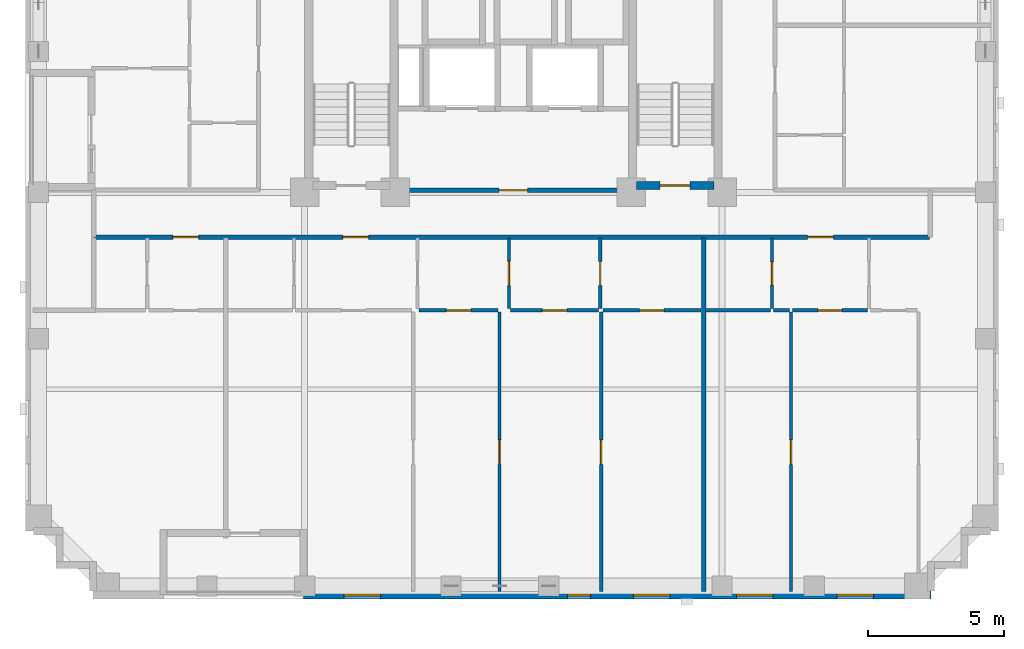
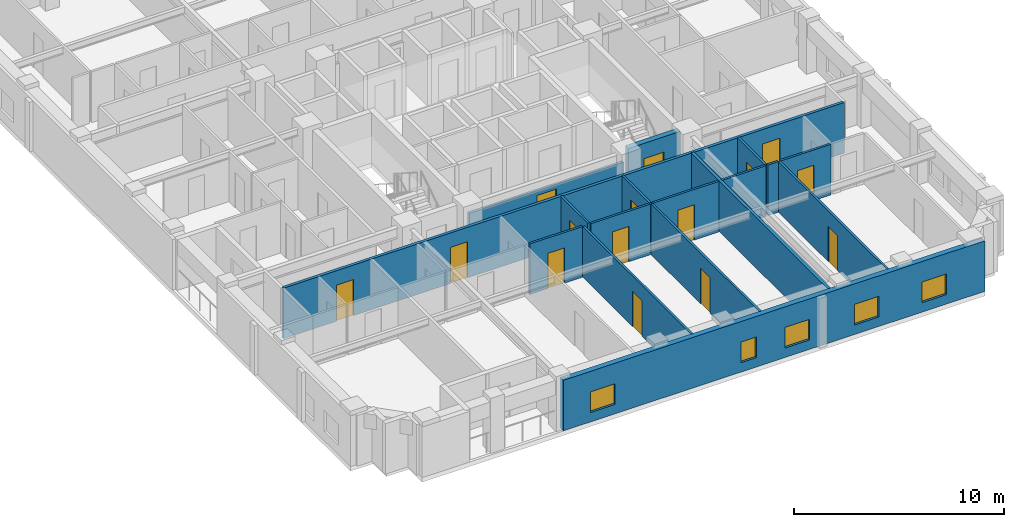
# One storey, part 3 of 12: 17 walls, 15 doors, 5 windows, 20 openings.
"""IFC4 building model written with IfcOpenShell, lengths in metres."""

from ifc_helpers import new_model, si_unit, derived_unit, direction, frame, frame_2d, origin, place, context, subcontext, project, spatial, rectangle, extrude, material, layer, layer_set, type_object, element, fill, save


model = new_model("IFC4")

# Units and contexts
model_context = context("Model", 3, precision=1e-05, world=origin(), true_north=direction((0.0, 1.0)))
body_context = subcontext(model_context, "Body", "Model", "MODEL_VIEW")
ifc_project = project(units=[si_unit("LENGTHUNIT", "METRE"), si_unit("AREAUNIT", "SQUARE_METRE"), si_unit("VOLUMEUNIT", "CUBIC_METRE"), si_unit("PLANEANGLEUNIT", "RADIAN"), si_unit("MASSUNIT", "GRAM", prefix="KILO"), derived_unit("THERMALTRANSMITTANCEUNIT", [(si_unit("MASSUNIT", "GRAM", prefix="KILO"), 1), (si_unit("TIMEUNIT", "SECOND"), -3), (si_unit("THERMODYNAMICTEMPERATUREUNIT", "KELVIN"), -1)])], contexts=[model_context])

# Site, building, storey
site_placement = place(None, origin())
site = spatial("IfcSite", under=ifc_project, at=site_placement, CompositionType="ELEMENT")
building_placement = place(site_placement, origin())
building = spatial("IfcBuilding", under=site, at=building_placement, Name="Korrvale Station Residences", CompositionType="ELEMENT")
storey_placement = place(building_placement, frame((0.0, 0.0, 103.89990234375)))
storey = spatial("IfcBuildingStorey", under=building, at=storey_placement, Name="L29", CompositionType="ELEMENT", Elevation=103.89990234375)

# Wall, opening, door
ifc_material_1 = material(Name="Concrete C60/75", Category="concrete")
ifc_layer_1 = layer(ifc_material_1, 0.300048828125, Name="Concrete C60/75")
ifc_layer_set_1 = layer_set([ifc_layer_1], Name="Concrete C60/75")
wall_type_1 = type_object("IfcWallType", Name="WAL-CORE-300-C60", PredefinedType="SHEAR", material=ifc_layer_set_1)
wall_1_placement = place(storey_placement, frame((30.050048828125, 15.25, 0.0), z_axis=(0.0, 0.0, 1.0), x_axis=(1.0, 0.0, 0.0)))
wall_1 = element("IfcWall", 1, at=wall_1_placement, inside=storey, type_object=wall_type_1, Name="L29 ST-2 Core Shear Wall South", PredefinedType="SHEAR", context=body_context, shape_type="SweptSolid", body=[
    extrude(rectangle(XDim=2.849853515625, YDim=0.300048828125, at=frame_2d((1.4248046875, 0.0))), origin(), (0.0, 0.0, 1.0), 2.940185546875),
])
opening_1_placement = place(wall_1_placement, frame((0.860107421875, 0.0, 0.0)))
opening_1 = element("IfcOpeningElement", 2, at=opening_1_placement, cuts=wall_1, Name="Opening SD-1100", PredefinedType="OPENING", context=body_context, shape_type="SweptSolid", body=[
    extrude(rectangle(XDim=1.10009765625, YDim=2.050048828125, at=frame_2d((0.550048828125, 1.02490234375))), frame((0.0, 0.16015625, 0.0), z_axis=(0.0, -1.0, 0.0), x_axis=(1.0, 0.0, 0.0)), (0.0, 0.0, 1.0), 0.320068359375),
])
ifc_material_2 = material(Name="Hollow-metal fire-rated stair door with closer", Category="steel")
door_type_1 = type_object("IfcDoorType", Name="DR-STAIR-1100", OperationType="NOTDEFINED", PredefinedType="DOOR", material=ifc_material_2)
door_1_placement = place(opening_1_placement, origin())
door_1 = element("IfcDoor", 3, at=door_1_placement, inside=storey, type_object=door_type_1, Name="L29 ST-2 Exit Stair Door", OperationType="SINGLE_SWING_RIGHT", OverallHeight=2.050048828125, OverallWidth=1.10009765625, PredefinedType="DOOR", context=body_context, shape_type="SweptSolid", body=[
    extrude(rectangle(XDim=1.10009765625, YDim=2.050048828125, at=frame_2d((0.550048828125, 1.02490234375))), frame((0.0, 0.02490234375, 0.0), z_axis=(0.0, -1.0, 0.0), x_axis=(1.0, 0.0, 0.0)), (0.0, 0.0, 1.0), 0.050048828125),
])
fill(opening_1, door_1)

# Wall, openings, windows
ifc_material_3 = material(Name="Precast concrete C45/55", Category="concrete")
ifc_layer_2 = layer(ifc_material_3, 0.300048828125, Name="Precast concrete C45/55")
ifc_layer_set_2 = layer_set([ifc_layer_2], Name="Precast concrete C45/55")
wall_type_2 = type_object("IfcWallType", Name="WAL-EXT-PC300", PredefinedType="SOLIDWALL", material=ifc_layer_set_2)
wall_2_placement = place(storey_placement, frame((40.89990234375, 0.14990234375, 0.0), z_axis=(0.0, 0.0, 1.0), x_axis=(-1.0, 0.0, 0.0)))
wall_2 = element("IfcWall", 4, at=wall_2_placement, inside=storey, type_object=wall_type_2, Name="L29 South Exterior Precast Wall 1", PredefinedType="SOLIDWALL", context=body_context, shape_type="SweptSolid", body=[
    extrude(rectangle(XDim=23.14990234375, YDim=0.300048828125, at=frame_2d((11.574951171875, 0.0))), origin(), (0.0, 0.0, 1.0), 2.940185546875),
])
opening_2_placement = place(wall_2_placement, frame((20.2958984375, 0.0, 0.550048828125)))
opening_2 = element("IfcOpeningElement", 5, at=opening_2_placement, cuts=wall_2, Name="Opening W-10", PredefinedType="OPENING", context=body_context, shape_type="SweptSolid", body=[
    extrude(rectangle(XDim=1.35009765625, YDim=1.199951171875, at=frame_2d((0.675048828125, 0.60009765625))), frame((0.0, 0.16015625, 0.0), z_axis=(0.0, -1.0, 0.0), x_axis=(1.0, 0.0, 0.0)), (0.0, 0.0, 1.0), 0.320068359375),
])
opening_3_placement = place(wall_2_placement, frame((12.550048828125, 0.0, 0.550048828125)))
opening_3 = element("IfcOpeningElement", 6, at=opening_3_placement, cuts=wall_2, Name="Opening W-11", PredefinedType="OPENING", context=body_context, shape_type="SweptSolid", body=[
    extrude(rectangle(XDim=0.85009765625, YDim=1.199951171875, at=frame_2d((0.425048828125, 0.60009765625))), frame((0.0, 0.16015625, 0.0), z_axis=(0.0, -1.0, 0.0), x_axis=(1.0, 0.0, 0.0)), (0.0, 0.0, 1.0), 0.320068359375),
])
opening_4_placement = place(wall_2_placement, frame((9.6220703125, 0.0, 0.550048828125)))
opening_4 = element("IfcOpeningElement", 7, at=opening_4_placement, cuts=wall_2, Name="Opening W-10", PredefinedType="OPENING", context=body_context, shape_type="SweptSolid", body=[
    extrude(rectangle(XDim=1.35009765625, YDim=1.199951171875, at=frame_2d((0.675048828125, 0.60009765625))), frame((0.0, 0.16015625, 0.0), z_axis=(0.0, -1.0, 0.0), x_axis=(1.0, 0.0, 0.0)), (0.0, 0.0, 1.0), 0.320068359375),
])
opening_5_placement = place(wall_2_placement, frame((5.81494140625, 0.0, 0.550048828125)))
opening_5 = element("IfcOpeningElement", 8, at=opening_5_placement, cuts=wall_2, Name="Opening W-10", PredefinedType="OPENING", context=body_context, shape_type="SweptSolid", body=[
    extrude(rectangle(XDim=1.35009765625, YDim=1.199951171875, at=frame_2d((0.675048828125, 0.60009765625))), frame((0.0, 0.16015625, 0.0), z_axis=(0.0, -1.0, 0.0), x_axis=(1.0, 0.0, 0.0)), (0.0, 0.0, 1.0), 0.320068359375),
])
opening_6_placement = place(wall_2_placement, frame((2.10595703125, 0.0, 0.550048828125)))
opening_6 = element("IfcOpeningElement", 9, at=opening_6_placement, cuts=wall_2, Name="Opening W-10", PredefinedType="OPENING", context=body_context, shape_type="SweptSolid", body=[
    extrude(rectangle(XDim=1.35009765625, YDim=1.199951171875, at=frame_2d((0.675048828125, 0.60009765625))), frame((0.0, 0.16015625, 0.0), z_axis=(0.0, -1.0, 0.0), x_axis=(1.0, 0.0, 0.0)), (0.0, 0.0, 1.0), 0.320068359375),
])
ifc_material_4 = material(Name="Thermally broken aluminium frame with triple low-e glazing", Category="aluminium")
window_type_1 = type_object("IfcWindowType", Name="WIN-W10", PartitioningType="SINGLE_PANEL", PredefinedType="WINDOW", material=ifc_material_4)
window_1_placement = place(opening_2_placement, origin())
window_1 = element("IfcWindow", 10, at=window_1_placement, inside=storey, type_object=window_type_1, Name="L29 Punched Window 03", OverallHeight=1.199951171875, OverallWidth=1.35009765625, PartitioningType="SINGLE_PANEL", PredefinedType="WINDOW", context=body_context, shape_type="SweptSolid", body=[
    extrude(rectangle(XDim=1.35009765625, YDim=1.199951171875, at=frame_2d((0.675048828125, 0.60009765625))), frame((0.0, 0.030029296875, 0.0), z_axis=(0.0, -1.0, 0.0), x_axis=(1.0, 0.0, 0.0)), (0.0, 0.0, 1.0), 0.06005859375),
])
fill(opening_2, window_1)
window_2_placement = place(opening_4_placement, origin())
window_2 = element("IfcWindow", 11, at=window_2_placement, inside=storey, type_object=window_type_1, Name="L29 Punched Window 05", OverallHeight=1.199951171875, OverallWidth=1.35009765625, PartitioningType="SINGLE_PANEL", PredefinedType="WINDOW", context=body_context, shape_type="SweptSolid", body=[
    extrude(rectangle(XDim=1.35009765625, YDim=1.199951171875, at=frame_2d((0.675048828125, 0.60009765625))), frame((0.0, 0.030029296875, 0.0), z_axis=(0.0, -1.0, 0.0), x_axis=(1.0, 0.0, 0.0)), (0.0, 0.0, 1.0), 0.06005859375),
])
fill(opening_4, window_2)
window_3_placement = place(opening_5_placement, origin())
window_3 = element("IfcWindow", 12, at=window_3_placement, inside=storey, type_object=window_type_1, Name="L29 Punched Window 06", OverallHeight=1.199951171875, OverallWidth=1.35009765625, PartitioningType="SINGLE_PANEL", PredefinedType="WINDOW", context=body_context, shape_type="SweptSolid", body=[
    extrude(rectangle(XDim=1.35009765625, YDim=1.199951171875, at=frame_2d((0.675048828125, 0.60009765625))), frame((0.0, 0.030029296875, 0.0), z_axis=(0.0, -1.0, 0.0), x_axis=(1.0, 0.0, 0.0)), (0.0, 0.0, 1.0), 0.06005859375),
])
fill(opening_5, window_3)
window_4_placement = place(opening_6_placement, origin())
window_4 = element("IfcWindow", 13, at=window_4_placement, inside=storey, type_object=window_type_1, Name="L29 Punched Window 07", OverallHeight=1.199951171875, OverallWidth=1.35009765625, PartitioningType="SINGLE_PANEL", PredefinedType="WINDOW", context=body_context, shape_type="SweptSolid", body=[
    extrude(rectangle(XDim=1.35009765625, YDim=1.199951171875, at=frame_2d((0.675048828125, 0.60009765625))), frame((0.0, 0.030029296875, 0.0), z_axis=(0.0, -1.0, 0.0), x_axis=(1.0, 0.0, 0.0)), (0.0, 0.0, 1.0), 0.06005859375),
])
fill(opening_6, window_4)
window_type_2 = type_object("IfcWindowType", Name="WIN-W11", PartitioningType="SINGLE_PANEL", PredefinedType="WINDOW", material=ifc_material_4)
window_5_placement = place(opening_3_placement, origin())
window_5 = element("IfcWindow", 14, at=window_5_placement, inside=storey, type_object=window_type_2, Name="L29 Punched Window 04", OverallHeight=1.199951171875, OverallWidth=0.85009765625, PartitioningType="SINGLE_PANEL", PredefinedType="WINDOW", context=body_context, shape_type="SweptSolid", body=[
    extrude(rectangle(XDim=0.85009765625, YDim=1.199951171875, at=frame_2d((0.425048828125, 0.60009765625))), frame((0.0, 0.030029296875, 0.0), z_axis=(0.0, -1.0, 0.0), x_axis=(1.0, 0.0, 0.0)), (0.0, 0.0, 1.0), 0.06005859375),
])
fill(opening_3, window_5)

# Wall, opening, door
ifc_material_5 = material(Name="Acoustic steel-stud gypsum board partition", Category="steel")
ifc_layer_3 = layer(ifc_material_5, 0.1201171875, Name="Acoustic steel-stud gypsum board partition")
ifc_layer_set_3 = layer_set([ifc_layer_3], Name="Acoustic steel-stud gypsum board partition")
wall_type_3 = type_object("IfcWallType", Name="WAL-PART-125", PredefinedType="PARTITIONING", material=ifc_layer_set_3)
wall_3_placement = place(storey_placement, frame((25.3359375, 10.7099609375, 0.0), z_axis=(0.0, 0.0, 1.0), x_axis=(0.0, 1.0, 0.0)))
wall_3 = element("IfcWall", 15, at=wall_3_placement, inside=storey, type_object=wall_type_3, Name="L29 Suite Partition U02-V23", PredefinedType="PARTITIONING", context=body_context, shape_type="SweptSolid", body=[
    extrude(rectangle(XDim=2.60009765625, YDim=0.1201171875, at=frame_2d((1.300048828125, 0.0))), origin(), (0.0, 0.0, 1.0), 2.940185546875),
])
opening_7_placement = place(wall_3_placement, frame((0.85009765625, 0.0, 0.0)))
opening_7 = element("IfcOpeningElement", 16, at=opening_7_placement, cuts=wall_3, Name="Opening DI-900", PredefinedType="OPENING", context=body_context, shape_type="SweptSolid", body=[
    extrude(rectangle(XDim=0.89990234375, YDim=2.050048828125, at=frame_2d((0.449951171875, 1.02490234375))), frame((0.0, 0.070068359375, 0.0), z_axis=(0.0, -1.0, 0.0), x_axis=(1.0, 0.0, 0.0)), (0.0, 0.0, 1.0), 0.14013671875),
])
ifc_material_6 = material(Name="Painted solid-core timber interior room door", Category="wood")
door_type_2 = type_object("IfcDoorType", Name="DR-INT-900", OperationType="NOTDEFINED", PredefinedType="DOOR", material=ifc_material_6)
door_2_placement = place(opening_7_placement, origin())
door_2 = element("IfcDoor", 17, at=door_2_placement, inside=storey, type_object=door_type_2, Name="L29 Apartment 2BR L29-U02 Home Study Room Door", OperationType="SINGLE_SWING_RIGHT", OverallHeight=2.050048828125, OverallWidth=0.89990234375, PredefinedType="DOOR", context=body_context, shape_type="SweptSolid", body=[
    extrude(rectangle(XDim=0.89990234375, YDim=2.050048828125, at=frame_2d((0.449951171875, 1.02490234375))), frame((0.0, 0.02490234375, 0.0), z_axis=(0.0, -1.0, 0.0), x_axis=(1.0, 0.0, 0.0)), (0.0, 0.0, 1.0), 0.050048828125),
])
fill(opening_7, door_2)

wall_4_placement = place(storey_placement, frame((22.02587890625, 10.64990234375, 0.0), z_axis=(0.0, 0.0, 1.0), x_axis=(1.0, 0.0, 0.0)))
wall_4 = element("IfcWall", 18, at=wall_4_placement, inside=storey, type_object=wall_type_3, Name="L29 Suite Partition U02-H26", PredefinedType="PARTITIONING", context=body_context, shape_type="SweptSolid", body=[
    extrude(rectangle(XDim=2.905029296875, YDim=0.1201171875, at=frame_2d((1.45263671875, 0.0))), origin(), (0.0, 0.0, 1.0), 2.940185546875),
])
opening_8_placement = place(wall_4_placement, frame((1.0029296875, 0.0, 0.0)))
opening_8 = element("IfcOpeningElement", 19, at=opening_8_placement, cuts=wall_4, Name="Opening DI-900", PredefinedType="OPENING", context=body_context, shape_type="SweptSolid", body=[
    extrude(rectangle(XDim=0.89990234375, YDim=2.050048828125, at=frame_2d((0.449951171875, 1.02490234375))), frame((0.0, 0.070068359375, 0.0), z_axis=(0.0, -1.0, 0.0), x_axis=(1.0, 0.0, 0.0)), (0.0, 0.0, 1.0), 0.14013671875),
])
door_3_placement = place(opening_8_placement, origin())
door_3 = element("IfcDoor", 20, at=door_3_placement, inside=storey, type_object=door_type_2, Name="L29 Apartment 2BR L29-U02 Home Study Room Door", OperationType="SINGLE_SWING_LEFT", OverallHeight=2.050048828125, OverallWidth=0.89990234375, PredefinedType="DOOR", context=body_context, shape_type="SweptSolid", body=[
    extrude(rectangle(XDim=0.89990234375, YDim=2.050048828125, at=frame_2d((0.449951171875, 1.02490234375))), frame((0.0, 0.02490234375, 0.0), z_axis=(0.0, -1.0, 0.0), x_axis=(1.0, 0.0, 0.0)), (0.0, 0.0, 1.0), 0.050048828125),
])
fill(opening_8, door_3)

wall_5_placement = place(storey_placement, frame((28.7060546875, 10.7099609375, 0.0), z_axis=(0.0, 0.0, 1.0), x_axis=(0.0, 1.0, 0.0)))
wall_5 = element("IfcWall", 21, at=wall_5_placement, inside=storey, type_object=wall_type_3, Name="L29 Suite Partition U02-V34", PredefinedType="PARTITIONING", context=body_context, shape_type="SweptSolid", body=[
    extrude(rectangle(XDim=2.60009765625, YDim=0.1201171875, at=frame_2d((1.300048828125, 0.0))), origin(), (0.0, 0.0, 1.0), 2.940185546875),
])
opening_9_placement = place(wall_5_placement, frame((0.85009765625, 0.0, 0.0)))
opening_9 = element("IfcOpeningElement", 22, at=opening_9_placement, cuts=wall_5, Name="Opening DI-900", PredefinedType="OPENING", context=body_context, shape_type="SweptSolid", body=[
    extrude(rectangle(XDim=0.89990234375, YDim=2.050048828125, at=frame_2d((0.449951171875, 1.02490234375))), frame((0.0, 0.070068359375, 0.0), z_axis=(0.0, -1.0, 0.0), x_axis=(1.0, 0.0, 0.0)), (0.0, 0.0, 1.0), 0.14013671875),
])
door_4_placement = place(opening_9_placement, origin())
door_4 = element("IfcDoor", 23, at=door_4_placement, inside=storey, type_object=door_type_2, Name="L29 Apartment 2BR L29-U02 Home Study Room Door", OperationType="SINGLE_SWING_RIGHT", OverallHeight=2.050048828125, OverallWidth=0.89990234375, PredefinedType="DOOR", context=body_context, shape_type="SweptSolid", body=[
    extrude(rectangle(XDim=0.89990234375, YDim=2.050048828125, at=frame_2d((0.449951171875, 1.02490234375))), frame((0.0, 0.02490234375, 0.0), z_axis=(0.0, -1.0, 0.0), x_axis=(1.0, 0.0, 0.0)), (0.0, 0.0, 1.0), 0.050048828125),
])
fill(opening_9, door_4)

wall_6_placement = place(storey_placement, frame((25.39599609375, 10.64990234375, 0.0), z_axis=(0.0, 0.0, 1.0), x_axis=(1.0, 0.0, 0.0)))
wall_6 = element("IfcWall", 24, at=wall_6_placement, inside=storey, type_object=wall_type_3, Name="L29 Suite Partition U02-H37", PredefinedType="PARTITIONING", context=body_context, shape_type="SweptSolid", body=[
    extrude(rectangle(XDim=3.25, YDim=0.1201171875, at=frame_2d((1.625, 0.0))), origin(), (0.0, 0.0, 1.0), 2.940185546875),
])
opening_10_placement = place(wall_6_placement, frame((1.175048828125, 0.0, 0.0)))
opening_10 = element("IfcOpeningElement", 25, at=opening_10_placement, cuts=wall_6, Name="Opening DI-900", PredefinedType="OPENING", context=body_context, shape_type="SweptSolid", body=[
    extrude(rectangle(XDim=0.89990234375, YDim=2.050048828125, at=frame_2d((0.449951171875, 1.02490234375))), frame((0.0, 0.070068359375, 0.0), z_axis=(0.0, -1.0, 0.0), x_axis=(1.0, 0.0, 0.0)), (0.0, 0.0, 1.0), 0.14013671875),
])
door_5_placement = place(opening_10_placement, origin())
door_5 = element("IfcDoor", 26, at=door_5_placement, inside=storey, type_object=door_type_2, Name="L29 Apartment 2BR L29-U02 Home Study Room Door", OperationType="SINGLE_SWING_LEFT", OverallHeight=2.050048828125, OverallWidth=0.89990234375, PredefinedType="DOOR", context=body_context, shape_type="SweptSolid", body=[
    extrude(rectangle(XDim=0.89990234375, YDim=2.050048828125, at=frame_2d((0.449951171875, 1.02490234375))), frame((0.0, 0.02490234375, 0.0), z_axis=(0.0, -1.0, 0.0), x_axis=(1.0, 0.0, 0.0)), (0.0, 0.0, 1.0), 0.050048828125),
])
fill(opening_10, door_5)

wall_7_placement = place(storey_placement, frame((28.798095703125, 10.64990234375, 0.0), z_axis=(0.0, 0.0, 1.0), x_axis=(1.0, 0.0, 0.0)))
wall_7 = element("IfcWall", 27, at=wall_7_placement, inside=storey, type_object=wall_type_3, Name="L29 Suite Partition U02-H48", PredefinedType="PARTITIONING", context=body_context, shape_type="SweptSolid", body=[
    extrude(rectangle(XDim=3.6279296875, YDim=0.1201171875, at=frame_2d((1.81396484375, 0.0))), origin(), (0.0, 0.0, 1.0), 2.940185546875),
])
opening_11_placement = place(wall_7_placement, frame((1.364013671875, 0.0, 0.0)))
opening_11 = element("IfcOpeningElement", 28, at=opening_11_placement, cuts=wall_7, Name="Opening DI-900", PredefinedType="OPENING", context=body_context, shape_type="SweptSolid", body=[
    extrude(rectangle(XDim=0.89990234375, YDim=2.050048828125, at=frame_2d((0.449951171875, 1.02490234375))), frame((0.0, 0.070068359375, 0.0), z_axis=(0.0, -1.0, 0.0), x_axis=(1.0, 0.0, 0.0)), (0.0, 0.0, 1.0), 0.14013671875),
])
door_6_placement = place(opening_11_placement, origin())
door_6 = element("IfcDoor", 29, at=door_6_placement, inside=storey, type_object=door_type_2, Name="L29 Apartment 2BR L29-U02 Home Study Room Door", OperationType="SINGLE_SWING_RIGHT", OverallHeight=2.050048828125, OverallWidth=0.89990234375, PredefinedType="DOOR", context=body_context, shape_type="SweptSolid", body=[
    extrude(rectangle(XDim=0.89990234375, YDim=2.050048828125, at=frame_2d((0.449951171875, 1.02490234375))), frame((0.0, 0.02490234375, 0.0), z_axis=(0.0, -1.0, 0.0), x_axis=(1.0, 0.0, 0.0)), (0.0, 0.0, 1.0), 0.050048828125),
])
fill(opening_11, door_6)

wall_8_placement = place(storey_placement, frame((24.990966796875, 0.280029296875, 0.0), z_axis=(0.0, 0.0, 1.0), x_axis=(0.0, 1.0, 0.0)))
wall_8 = element("IfcWall", 30, at=wall_8_placement, inside=storey, type_object=wall_type_3, Name="L29 Suite Partition U02-V67", PredefinedType="PARTITIONING", context=body_context, shape_type="SweptSolid", body=[
    extrude(rectangle(XDim=10.31005859375, YDim=0.1201171875, at=frame_2d((5.155029296875, 0.0))), origin(), (0.0, 0.0, 1.0), 2.940185546875),
])
opening_12_placement = place(wall_8_placement, frame((4.68994140625, 0.0, 0.0)))
opening_12 = element("IfcOpeningElement", 31, at=opening_12_placement, cuts=wall_8, Name="Opening DI-900", PredefinedType="OPENING", context=body_context, shape_type="SweptSolid", body=[
    extrude(rectangle(XDim=0.89990234375, YDim=2.050048828125, at=frame_2d((0.449951171875, 1.02490234375))), frame((0.0, 0.070068359375, 0.0), z_axis=(0.0, -1.0, 0.0), x_axis=(1.0, 0.0, 0.0)), (0.0, 0.0, 1.0), 0.14013671875),
])
door_7_placement = place(opening_12_placement, origin())
door_7 = element("IfcDoor", 32, at=door_7_placement, inside=storey, type_object=door_type_2, Name="L29 Apartment 2BR L29-U02 Wardrobe Storage Room Door", OperationType="SINGLE_SWING_RIGHT", OverallHeight=2.050048828125, OverallWidth=0.89990234375, PredefinedType="DOOR", context=body_context, shape_type="SweptSolid", body=[
    extrude(rectangle(XDim=0.89990234375, YDim=2.050048828125, at=frame_2d((0.449951171875, 1.02490234375))), frame((0.0, 0.02490234375, 0.0), z_axis=(0.0, -1.0, 0.0), x_axis=(1.0, 0.0, 0.0)), (0.0, 0.0, 1.0), 0.050048828125),
])
fill(opening_12, door_7)

wall_9_placement = place(storey_placement, frame((28.738037109375, 0.280029296875, 0.0), z_axis=(0.0, 0.0, 1.0), x_axis=(0.0, 1.0, 0.0)))
wall_9 = element("IfcWall", 33, at=wall_9_placement, inside=storey, type_object=wall_type_3, Name="L29 Suite Partition U02-V78", PredefinedType="PARTITIONING", context=body_context, shape_type="SweptSolid", body=[
    extrude(rectangle(XDim=10.31005859375, YDim=0.1201171875, at=frame_2d((5.155029296875, 0.0))), origin(), (0.0, 0.0, 1.0), 2.940185546875),
])
opening_13_placement = place(wall_9_placement, frame((4.68994140625, 0.0, 0.0)))
opening_13 = element("IfcOpeningElement", 34, at=opening_13_placement, cuts=wall_9, Name="Opening DI-900", PredefinedType="OPENING", context=body_context, shape_type="SweptSolid", body=[
    extrude(rectangle(XDim=0.89990234375, YDim=2.050048828125, at=frame_2d((0.449951171875, 1.02490234375))), frame((0.0, 0.070068359375, 0.0), z_axis=(0.0, -1.0, 0.0), x_axis=(1.0, 0.0, 0.0)), (0.0, 0.0, 1.0), 0.14013671875),
])
door_8_placement = place(opening_13_placement, origin())
door_8 = element("IfcDoor", 35, at=door_8_placement, inside=storey, type_object=door_type_2, Name="L29 Apartment 2BR L29-U02 Bedroom 1 Door", OperationType="SINGLE_SWING_LEFT", OverallHeight=2.050048828125, OverallWidth=0.89990234375, PredefinedType="DOOR", context=body_context, shape_type="SweptSolid", body=[
    extrude(rectangle(XDim=0.89990234375, YDim=2.050048828125, at=frame_2d((0.449951171875, 1.02490234375))), frame((0.0, 0.02490234375, 0.0), z_axis=(0.0, -1.0, 0.0), x_axis=(1.0, 0.0, 0.0)), (0.0, 0.0, 1.0), 0.050048828125),
])
fill(opening_13, door_8)

wall_10_placement = place(storey_placement, frame((35.0458984375, 10.7099609375, 0.0), z_axis=(0.0, 0.0, 1.0), x_axis=(0.0, 1.0, 0.0)))
wall_10 = element("IfcWall", 36, at=wall_10_placement, inside=storey, type_object=wall_type_3, Name="L29 Suite Partition U03-V01", PredefinedType="PARTITIONING", context=body_context, shape_type="SweptSolid", body=[
    extrude(rectangle(XDim=2.60009765625, YDim=0.1201171875, at=frame_2d((1.300048828125, 0.0))), origin(), (0.0, 0.0, 1.0), 2.940185546875),
])
opening_14_placement = place(wall_10_placement, frame((0.8701171875, 0.0, 0.0)))
opening_14 = element("IfcOpeningElement", 37, at=opening_14_placement, cuts=wall_10, Name="Opening DB-860", PredefinedType="OPENING", context=body_context, shape_type="SweptSolid", body=[
    extrude(rectangle(XDim=0.860107421875, YDim=2.050048828125, at=frame_2d((0.43017578125, 1.02490234375))), frame((0.0, 0.070068359375, 0.0), z_axis=(0.0, -1.0, 0.0), x_axis=(1.0, 0.0, 0.0)), (0.0, 0.0, 1.0), 0.14013671875),
])
ifc_material_7 = material(Name="Moisture-resistant solid-core bathroom door", Category="timber")
door_type_3 = type_object("IfcDoorType", Name="DR-BATH-860", OperationType="NOTDEFINED", PredefinedType="DOOR", material=ifc_material_7)
door_9_placement = place(opening_14_placement, origin())
door_9 = element("IfcDoor", 38, at=door_9_placement, inside=storey, type_object=door_type_3, Name="L29 Studio Apartment L29-U03 Bathroom Door", OperationType="SINGLE_SWING_RIGHT", OverallHeight=2.050048828125, OverallWidth=0.860107421875, PredefinedType="DOOR", context=body_context, shape_type="SweptSolid", body=[
    extrude(rectangle(XDim=0.860107421875, YDim=2.050048828125, at=frame_2d((0.43017578125, 1.02490234375))), frame((0.0, 0.02490234375, 0.0), z_axis=(0.0, -1.0, 0.0), x_axis=(1.0, 0.0, 0.0)), (0.0, 0.0, 1.0), 0.050048828125),
])
fill(opening_14, door_9)

# Walls
wall_11_placement = place(storey_placement, frame((32.5859375, 10.64990234375, 0.0), z_axis=(0.0, 0.0, 1.0), x_axis=(1.0, 0.0, 0.0)))
element("IfcWall", 39, at=wall_11_placement, inside=storey, type_object=wall_type_3, Name="L29 Suite Partition U03-H03", PredefinedType="PARTITIONING", context=body_context, shape_type="SweptSolid", body=[
    extrude(rectangle(XDim=2.400146484375, YDim=0.1201171875, at=frame_2d((1.2001953125, 0.0))), origin(), (0.0, 0.0, 1.0), 2.940185546875),
])
wall_12_placement = place(storey_placement, frame((35.10595703125, 10.64990234375, 0.0), z_axis=(0.0, 0.0, 1.0), x_axis=(1.0, 0.0, 0.0)))
element("IfcWall", 40, at=wall_12_placement, inside=storey, type_object=wall_type_3, Name="L29 Suite Partition U03-H13", PredefinedType="PARTITIONING", context=body_context, shape_type="SweptSolid", body=[
    extrude(rectangle(XDim=0.580078125, YDim=0.1201171875, at=frame_2d((0.2900390625, 0.0))), origin(), (0.0, 0.0, 1.0), 2.940185546875),
])

# Wall, opening, door
wall_13_placement = place(storey_placement, frame((35.805908203125, 10.64990234375, 0.0), z_axis=(0.0, 0.0, 1.0), x_axis=(1.0, 0.0, 0.0)))
wall_13 = element("IfcWall", 41, at=wall_13_placement, inside=storey, type_object=wall_type_3, Name="L29 Suite Partition U03-H14", PredefinedType="PARTITIONING", context=body_context, shape_type="SweptSolid", body=[
    extrude(rectangle(XDim=2.75, YDim=0.1201171875, at=frame_2d((1.375, 0.0))), origin(), (0.0, 0.0, 1.0), 2.940185546875),
])
opening_15_placement = place(wall_13_placement, frame((0.925048828125, 0.0, 0.0)))
opening_15 = element("IfcOpeningElement", 42, at=opening_15_placement, cuts=wall_13, Name="Opening DI-900", PredefinedType="OPENING", context=body_context, shape_type="SweptSolid", body=[
    extrude(rectangle(XDim=0.89990234375, YDim=2.050048828125, at=frame_2d((0.449951171875, 1.02490234375))), frame((0.0, 0.070068359375, 0.0), z_axis=(0.0, -1.0, 0.0), x_axis=(1.0, 0.0, 0.0)), (0.0, 0.0, 1.0), 0.14013671875),
])
door_10_placement = place(opening_15_placement, origin())
door_10 = element("IfcDoor", 43, at=door_10_placement, inside=storey, type_object=door_type_2, Name="L29 Studio Apartment L29-U03 Kitchen Door", OperationType="SINGLE_SWING_RIGHT", OverallHeight=2.050048828125, OverallWidth=0.89990234375, PredefinedType="DOOR", context=body_context, shape_type="SweptSolid", body=[
    extrude(rectangle(XDim=0.89990234375, YDim=2.050048828125, at=frame_2d((0.449951171875, 1.02490234375))), frame((0.0, 0.02490234375, 0.0), z_axis=(0.0, -1.0, 0.0), x_axis=(1.0, 0.0, 0.0)), (0.0, 0.0, 1.0), 0.050048828125),
])
fill(opening_15, door_10)

wall_14_placement = place(storey_placement, frame((35.74609375, 0.280029296875, 0.0), z_axis=(0.0, 0.0, 1.0), x_axis=(0.0, 1.0, 0.0)))
wall_14 = element("IfcWall", 44, at=wall_14_placement, inside=storey, type_object=wall_type_3, Name="L29 Suite Partition U03-V34", PredefinedType="PARTITIONING", context=body_context, shape_type="SweptSolid", body=[
    extrude(rectangle(XDim=10.31005859375, YDim=0.1201171875, at=frame_2d((5.155029296875, 0.0))), origin(), (0.0, 0.0, 1.0), 2.940185546875),
])
opening_16_placement = place(wall_14_placement, frame((4.68994140625, 0.0, 0.0)))
opening_16 = element("IfcOpeningElement", 45, at=opening_16_placement, cuts=wall_14, Name="Opening DI-900", PredefinedType="OPENING", context=body_context, shape_type="SweptSolid", body=[
    extrude(rectangle(XDim=0.89990234375, YDim=2.050048828125, at=frame_2d((0.449951171875, 1.02490234375))), frame((0.0, 0.070068359375, 0.0), z_axis=(0.0, -1.0, 0.0), x_axis=(1.0, 0.0, 0.0)), (0.0, 0.0, 1.0), 0.14013671875),
])
door_11_placement = place(opening_16_placement, origin())
door_11 = element("IfcDoor", 46, at=door_11_placement, inside=storey, type_object=door_type_2, Name="L29 Studio Apartment L29-U03 Formal Dining Room Door", OperationType="SINGLE_SWING_RIGHT", OverallHeight=2.050048828125, OverallWidth=0.89990234375, PredefinedType="DOOR", context=body_context, shape_type="SweptSolid", body=[
    extrude(rectangle(XDim=0.89990234375, YDim=2.050048828125, at=frame_2d((0.449951171875, 1.02490234375))), frame((0.0, 0.02490234375, 0.0), z_axis=(0.0, -1.0, 0.0), x_axis=(1.0, 0.0, 0.0)), (0.0, 0.0, 1.0), 0.050048828125),
])
fill(opening_16, door_11)

ifc_material_8 = material(Name="Fire-rated twin-stud gypsum and mineral wool shaftwall assembly", Category="gypsum")
ifc_layer_4 = layer(ifc_material_8, 0.159912109375, Name="Fire-rated twin-stud gypsum and mineral wool shaftwall assembly")
ifc_layer_set_4 = layer_set([ifc_layer_4], Name="Fire-rated twin-stud gypsum and mineral wool shaftwall assembly")
wall_type_4 = type_object("IfcWallType", Name="WAL-PART-200", PredefinedType="PARTITIONING", material=ifc_layer_set_4)
wall_15_placement = place(storey_placement, frame((21.25, 15.080078125, 0.0), z_axis=(0.0, 0.0, 1.0), x_axis=(1.0, 0.0, 0.0)))
wall_15 = element("IfcWall", 47, at=wall_15_placement, inside=storey, type_object=wall_type_4, Name="L29 Core Partition CW-FFL-S", PredefinedType="PARTITIONING", context=body_context, shape_type="SweptSolid", body=[
    extrude(rectangle(XDim=8.5, YDim=0.159912109375, at=frame_2d((4.25, 0.0))), origin(), (0.0, 0.0, 1.0), 2.31298828125),
])
opening_17_placement = place(wall_15_placement, frame((3.72509765625, 0.0, 0.0)))
opening_17 = element("IfcOpeningElement", 48, at=opening_17_placement, cuts=wall_15, Name="Opening FD-1050", PredefinedType="OPENING", context=body_context, shape_type="SweptSolid", body=[
    extrude(rectangle(XDim=1.050048828125, YDim=2.050048828125, at=frame_2d((0.52490234375, 1.02490234375))), frame((0.0, 0.08984375, 0.0), z_axis=(0.0, -1.0, 0.0), x_axis=(1.0, 0.0, 0.0)), (0.0, 0.0, 1.0), 0.179931640625),
])
ifc_material_9 = material(Name="Fire-rated mineral-core timber lobby door", Category="wood")
door_type_4 = type_object("IfcDoorType", Name="DR-CORE-1050", OperationType="NOTDEFINED", PredefinedType="DOOR", material=ifc_material_9)
door_12_placement = place(opening_17_placement, origin())
door_12 = element("IfcDoor", 49, at=door_12_placement, inside=storey, type_object=door_type_4, Name="L29 Firefighting Lobby Entry Door", OperationType="SINGLE_SWING_LEFT", OverallHeight=2.050048828125, OverallWidth=1.050048828125, PredefinedType="DOOR", context=body_context, shape_type="SweptSolid", body=[
    extrude(rectangle(XDim=1.050048828125, YDim=2.050048828125, at=frame_2d((0.52490234375, 1.02490234375))), frame((0.0, 0.02490234375, 0.0), z_axis=(0.0, -1.0, 0.0), x_axis=(1.0, 0.0, 0.0)), (0.0, 0.0, 1.0), 0.050048828125),
])
fill(opening_17, door_12)

# Wall
wall_16_placement = place(storey_placement, frame((32.52587890625, 0.280029296875, 0.0), z_axis=(0.0, 0.0, 1.0), x_axis=(0.0, 1.0, 0.0)))
element("IfcWall", 50, at=wall_16_placement, inside=storey, type_object=wall_type_4, Name="L29 Demising Wall U03-W", PredefinedType="PARTITIONING", context=body_context, shape_type="SweptSolid", body=[
    extrude(rectangle(XDim=13.030029296875, YDim=0.159912109375, at=frame_2d((6.51513671875, 0.0))), origin(), (0.0, 0.0, 1.0), 2.940185546875),
])

# Wall, openings, doors
wall_17_placement = place(storey_placement, frame((10.050048828125, 13.35009765625, 0.0), z_axis=(0.0, 0.0, 1.0), x_axis=(1.0, 0.0, 0.0)))
wall_17 = element("IfcWall", 51, at=wall_17_placement, inside=storey, type_object=wall_type_4, Name="L29 Rated Corridor Wall S", PredefinedType="PARTITIONING", context=body_context, shape_type="SweptSolid", body=[
    extrude(rectangle(XDim=30.800048828125, YDim=0.159912109375, at=frame_2d((15.39990234375, 0.0))), origin(), (0.0, 0.0, 1.0), 2.940185546875),
])
opening_18_placement = place(wall_17_placement, frame((2.89306640625, 0.0, 0.0)))
opening_18 = element("IfcOpeningElement", 52, at=opening_18_placement, cuts=wall_17, Name="Opening UD-950", PredefinedType="OPENING", context=body_context, shape_type="SweptSolid", body=[
    extrude(rectangle(XDim=0.949951171875, YDim=2.10009765625, at=frame_2d((0.47509765625, 1.050048828125))), frame((0.0, 0.08984375, 0.0), z_axis=(0.0, -1.0, 0.0), x_axis=(1.0, 0.0, 0.0)), (0.0, 0.0, 1.0), 0.179931640625),
])
opening_19_placement = place(wall_17_placement, frame((9.160888671875, 0.0, 0.0)))
opening_19 = element("IfcOpeningElement", 53, at=opening_19_placement, cuts=wall_17, Name="Opening UD-950", PredefinedType="OPENING", context=body_context, shape_type="SweptSolid", body=[
    extrude(rectangle(XDim=0.949951171875, YDim=2.10009765625, at=frame_2d((0.47509765625, 1.050048828125))), frame((0.0, 0.08984375, 0.0), z_axis=(0.0, -1.0, 0.0), x_axis=(1.0, 0.0, 0.0)), (0.0, 0.0, 1.0), 0.179931640625),
])
opening_20_placement = place(wall_17_placement, frame((26.305908203125, 0.0, 0.0)))
opening_20 = element("IfcOpeningElement", 54, at=opening_20_placement, cuts=wall_17, Name="Opening UD-950", PredefinedType="OPENING", context=body_context, shape_type="SweptSolid", body=[
    extrude(rectangle(XDim=0.949951171875, YDim=2.10009765625, at=frame_2d((0.47509765625, 1.050048828125))), frame((0.0, 0.08984375, 0.0), z_axis=(0.0, -1.0, 0.0), x_axis=(1.0, 0.0, 0.0)), (0.0, 0.0, 1.0), 0.179931640625),
])
ifc_material_10 = material(Name="Solid-core acoustic oak apartment entrance door", Category="timber")
door_type_5 = type_object("IfcDoorType", Name="DR-UNIT-950", OperationType="NOTDEFINED", PredefinedType="DOOR", material=ifc_material_10)
door_13_placement = place(opening_18_placement, origin())
door_13 = element("IfcDoor", 55, at=door_13_placement, inside=storey, type_object=door_type_5, Name="L29 Apartment L29-U01 Entrance Door", OperationType="SINGLE_SWING_LEFT", OverallHeight=2.10009765625, OverallWidth=0.949951171875, PredefinedType="DOOR", context=body_context, shape_type="SweptSolid", body=[
    extrude(rectangle(XDim=0.949951171875, YDim=2.10009765625, at=frame_2d((0.47509765625, 1.050048828125))), frame((0.0, 0.02490234375, 0.0), z_axis=(0.0, -1.0, 0.0), x_axis=(1.0, 0.0, 0.0)), (0.0, 0.0, 1.0), 0.050048828125),
])
fill(opening_18, door_13)
door_14_placement = place(opening_19_placement, origin())
door_14 = element("IfcDoor", 56, at=door_14_placement, inside=storey, type_object=door_type_5, Name="L29 Apartment L29-U02 Entrance Door", OperationType="SINGLE_SWING_RIGHT", OverallHeight=2.10009765625, OverallWidth=0.949951171875, PredefinedType="DOOR", context=body_context, shape_type="SweptSolid", body=[
    extrude(rectangle(XDim=0.949951171875, YDim=2.10009765625, at=frame_2d((0.47509765625, 1.050048828125))), frame((0.0, 0.02490234375, 0.0), z_axis=(0.0, -1.0, 0.0), x_axis=(1.0, 0.0, 0.0)), (0.0, 0.0, 1.0), 0.050048828125),
])
fill(opening_19, door_14)
door_15_placement = place(opening_20_placement, origin())
door_15 = element("IfcDoor", 57, at=door_15_placement, inside=storey, type_object=door_type_5, Name="L29 Apartment L29-U03 Entrance Door", OperationType="SINGLE_SWING_LEFT", OverallHeight=2.10009765625, OverallWidth=0.949951171875, PredefinedType="DOOR", context=body_context, shape_type="SweptSolid", body=[
    extrude(rectangle(XDim=0.949951171875, YDim=2.10009765625, at=frame_2d((0.47509765625, 1.050048828125))), frame((0.0, 0.02490234375, 0.0), z_axis=(0.0, -1.0, 0.0), x_axis=(1.0, 0.0, 0.0)), (0.0, 0.0, 1.0), 0.050048828125),
])
fill(opening_20, door_15)

save(model, "model.ifc")
